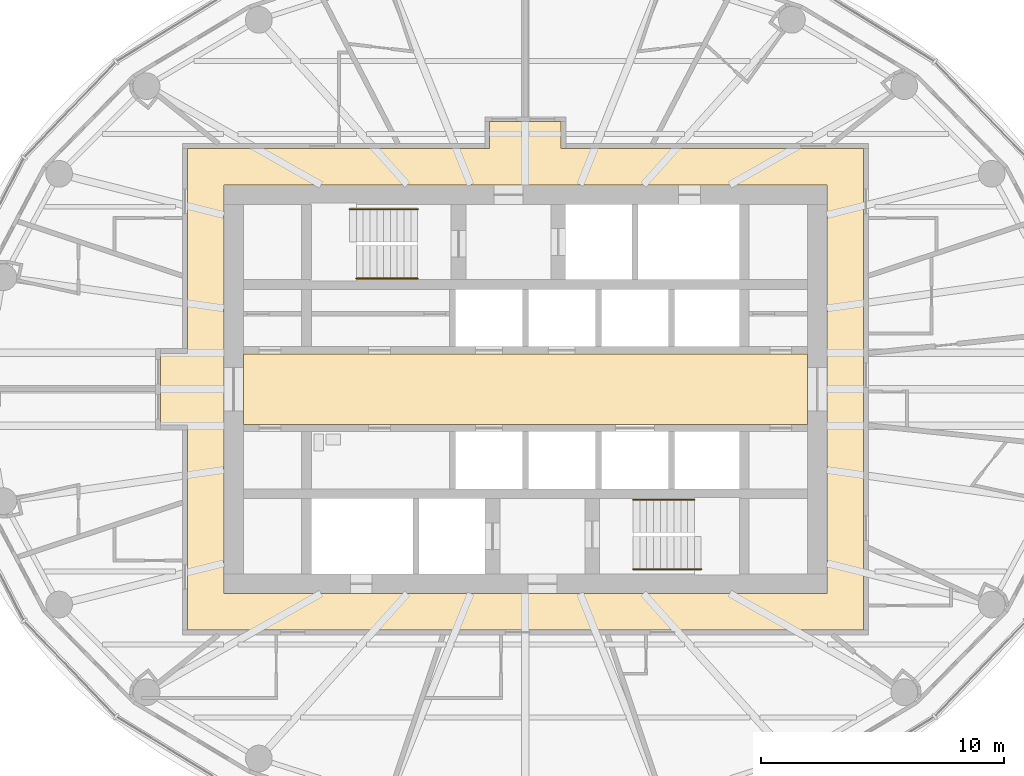
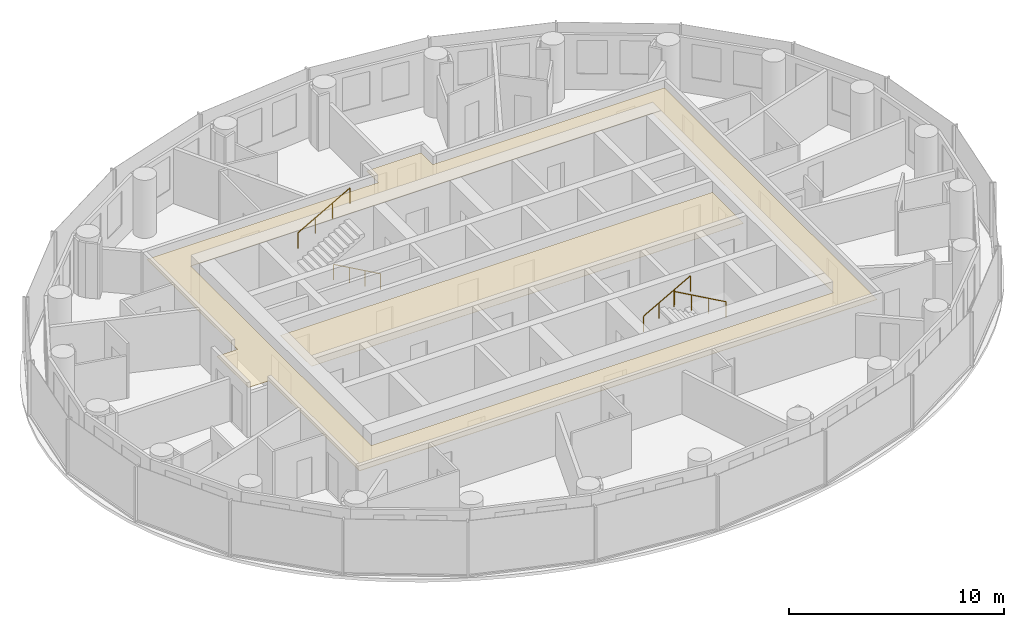
# One storey, part 15 of 16: 4 railings, 2 coverings.
"""IFC4 building model written with IfcOpenShell, lengths in metres."""

from ifc_helpers import new_model, si_unit, direction, frame, origin, origin_2d, place, context, subcontext, project, spatial, polyline, circle, outline, extrude, material, layer, layer_set, type_object, element, save


model = new_model("IFC4")

# Units and contexts
model_context = context("Model", 3, precision=1e-05, world=origin(), true_north=direction((0.0, 1.0)))
body_context = subcontext(model_context, "Body", "Model", "MODEL_VIEW")
ifc_project = project(units=[si_unit("LENGTHUNIT", "METRE"), si_unit("AREAUNIT", "SQUARE_METRE"), si_unit("VOLUMEUNIT", "CUBIC_METRE"), si_unit("PLANEANGLEUNIT", "RADIAN"), si_unit("MASSUNIT", "GRAM", prefix="KILO")], contexts=[model_context])

# Site, building, storey
site_placement = place(None, origin())
site = spatial("IfcSite", under=ifc_project, at=site_placement, CompositionType="ELEMENT")
building_placement = place(site_placement, origin())
building = spatial("IfcBuilding", under=site, at=building_placement, Name="Hankou Lantern Tower", CompositionType="ELEMENT")
storey_placement = place(building_placement, frame((0.0, 0.0, 169.800048828125)))
storey = spatial("IfcBuildingStorey", under=building, at=storey_placement, Name="L45", CompositionType="ELEMENT", Elevation=169.800048828125)

# Coverings
ifc_material_1 = material(Name="Black painted aluminium linear ceiling panels", Category="aluminium")
ifc_layer_1 = layer(ifc_material_1, 0.02490234375)
ifc_layer_set_1 = layer_set([ifc_layer_1], Name="Black painted aluminium linear ceiling panels")
covering_type_1 = type_object("IfcCoveringType", Name="CL1 CORRIDOR CEILING 25", PredefinedType="CEILING", material=ifc_layer_set_1)
covering_1_placement = place(storey_placement, frame((0.0, 0.0, 2.64501953125)))
element("IfcCovering", 1, at=covering_1_placement, inside=storey, type_object=covering_type_1, Name="Corridor ceiling L45", PredefinedType="CEILING", context=body_context, shape_type="SweptSolid", body=[
    extrude(outline(polyline([(1.469970703125, 9.89990234375), (1.469970703125, 11.0), (-1.469970703125, 11.0), (-1.469970703125, 9.89990234375), (-13.89990234375, 9.89990234375), (-13.89990234375, 1.469970703125), (-15.0, 1.469970703125), (-15.0, -1.469970703125), (-13.89990234375, -1.469970703125), (-13.89990234375, -9.89990234375), (13.89990234375, -9.89990234375), (13.89990234375, 9.89990234375), (1.469970703125, 9.89990234375)]), holes=[polyline([(-12.39990234375, 8.39990234375), (12.39990234375, 8.39990234375), (12.39990234375, -8.39990234375), (-12.39990234375, -8.39990234375), (-12.39990234375, 8.39990234375)])]), origin(), (0.0, 0.0, 1.0), 0.02490234375),
])
ifc_material_2 = material(Name="Perforated black aluminium acoustic tray ceiling", Category="aluminium")
ifc_layer_2 = layer(ifc_material_2, 0.014892578125)
ifc_layer_set_2 = layer_set([ifc_layer_2], Name="Perforated black aluminium acoustic tray ceiling")
covering_type_2 = type_object("IfcCoveringType", Name="CL2 LIFT LOBBY CEILING 15", PredefinedType="CEILING", material=ifc_layer_set_2)
covering_2_placement = place(storey_placement, frame((0.0, 0.0, 2.655029296875)))
element("IfcCovering", 2, at=covering_2_placement, inside=storey, type_object=covering_type_2, Name="Lift lobby ceiling L45", PredefinedType="CEILING", context=body_context, shape_type="SweptSolid", body=[
    extrude(outline(polyline([(-11.60009765625, -1.449951171875), (11.60009765625, -1.449951171875), (11.60009765625, 1.449951171875), (-11.60009765625, 1.449951171875), (-11.60009765625, -1.449951171875)])), origin(), (0.0, 0.0, 1.0), 0.014892578125),
])

# Railings
ifc_material_3 = material(Name="Steel handrail", Category="steel")
railing_type = type_object("IfcRailingType", Name="HR1 STAIR HANDRAIL", PredefinedType="HANDRAIL", material=ifc_material_3)
railing_1_placement = place(storey_placement, frame((-4.429931640625, 4.550048828125, 0.89990234375)))
element("IfcRailing", 3, at=railing_1_placement, inside=storey, type_object=railing_type, Name="Handrail stair STA L45 flight 1", PredefinedType="HANDRAIL", context=body_context, shape_type="SweptSolid", body=[
    extrude(circle(Radius=0.02392578125, at=origin_2d()), frame((0.0, 0.0, 0.8759765625), z_axis=(-0.872048945198, 0.0, 0.489418672692), x_axis=(0.0, -1.0, 0.0)), (0.0, 0.0, 1.0), 2.8896484375),
    extrude(circle(Radius=0.02099609375, at=origin_2d()), origin(), (0.0, 0.0, 1.0), 0.851806640625),
    extrude(circle(Radius=0.02099609375, at=origin_2d()), frame((-0.840087890625, 0.0, 0.471435546875)), (0.0, 0.0, 1.0), 0.851806640625),
    extrude(circle(Radius=0.02099609375, at=origin_2d()), frame((-1.679931640625, 0.0, 0.94287109375)), (0.0, 0.0, 1.0), 0.851806640625),
    extrude(circle(Radius=0.02099609375, at=origin_2d()), frame((-2.52001953125, 0.0, 1.414306640625)), (0.0, 0.0, 1.0), 0.851806640625),
])
railing_2_placement = place(storey_placement, frame((-7.22998046875, 7.39990234375, 2.471435546875)))
element("IfcRailing", 4, at=railing_2_placement, inside=storey, type_object=railing_type, Name="Handrail stair STA L45 flight 2", PredefinedType="HANDRAIL", context=body_context, shape_type="SweptSolid", body=[
    extrude(circle(Radius=0.02392578125, at=origin_2d()), frame((0.0, 0.0, 0.8759765625), z_axis=(0.872072602893, 0.0, 0.489376516891), x_axis=(0.0, 1.0, 0.0)), (0.0, 0.0, 1.0), 3.210693359375),
    extrude(circle(Radius=0.02099609375, at=origin_2d()), origin(), (0.0, 0.0, 1.0), 0.851806640625),
    extrude(circle(Radius=0.02099609375, at=origin_2d()), frame((0.933349609375, 0.0, 0.523681640625)), (0.0, 0.0, 1.0), 0.851806640625),
    extrude(circle(Radius=0.02099609375, at=origin_2d()), frame((1.86669921875, 0.0, 1.047607421875)), (0.0, 0.0, 1.0), 0.851806640625),
    extrude(circle(Radius=0.02099609375, at=origin_2d()), frame((2.800048828125, 0.0, 1.5712890625)), (0.0, 0.0, 1.0), 0.851806640625),
])
railing_3_placement = place(storey_placement, frame((4.429931640625, -4.550048828125, 0.89990234375)))
element("IfcRailing", 5, at=railing_3_placement, inside=storey, type_object=railing_type, Name="Handrail stair STB L45 flight 1", PredefinedType="HANDRAIL", context=body_context, shape_type="SweptSolid", body=[
    extrude(circle(Radius=0.02392578125, at=origin_2d()), frame((0.0, 0.0, 0.8759765625), z_axis=(0.872048945198, 0.0, 0.489418672692), x_axis=(0.0, 1.0, 0.0)), (0.0, 0.0, 1.0), 2.8896484375),
    extrude(circle(Radius=0.02099609375, at=origin_2d()), origin(), (0.0, 0.0, 1.0), 0.851806640625),
    extrude(circle(Radius=0.02099609375, at=origin_2d()), frame((0.840087890625, 0.0, 0.471435546875)), (0.0, 0.0, 1.0), 0.851806640625),
    extrude(circle(Radius=0.02099609375, at=origin_2d()), frame((1.679931640625, 0.0, 0.94287109375)), (0.0, 0.0, 1.0), 0.851806640625),
    extrude(circle(Radius=0.02099609375, at=origin_2d()), frame((2.52001953125, 0.0, 1.414306640625)), (0.0, 0.0, 1.0), 0.851806640625),
])
railing_4_placement = place(storey_placement, frame((7.22998046875, -7.39990234375, 2.471435546875)))
element("IfcRailing", 6, at=railing_4_placement, inside=storey, type_object=railing_type, Name="Handrail stair STB L45 flight 2", PredefinedType="HANDRAIL", context=body_context, shape_type="SweptSolid", body=[
    extrude(circle(Radius=0.02392578125, at=origin_2d()), frame((0.0, 0.0, 0.8759765625), z_axis=(-0.872072602893, 0.0, 0.489376516891), x_axis=(0.0, -1.0, 0.0)), (0.0, 0.0, 1.0), 3.210693359375),
    extrude(circle(Radius=0.02099609375, at=origin_2d()), origin(), (0.0, 0.0, 1.0), 0.851806640625),
    extrude(circle(Radius=0.02099609375, at=origin_2d()), frame((-0.933349609375, 0.0, 0.523681640625)), (0.0, 0.0, 1.0), 0.851806640625),
    extrude(circle(Radius=0.02099609375, at=origin_2d()), frame((-1.86669921875, 0.0, 1.047607421875)), (0.0, 0.0, 1.0), 0.851806640625),
    extrude(circle(Radius=0.02099609375, at=origin_2d()), frame((-2.800048828125, 0.0, 1.5712890625)), (0.0, 0.0, 1.0), 0.851806640625),
])

save(model, "model.ifc")
